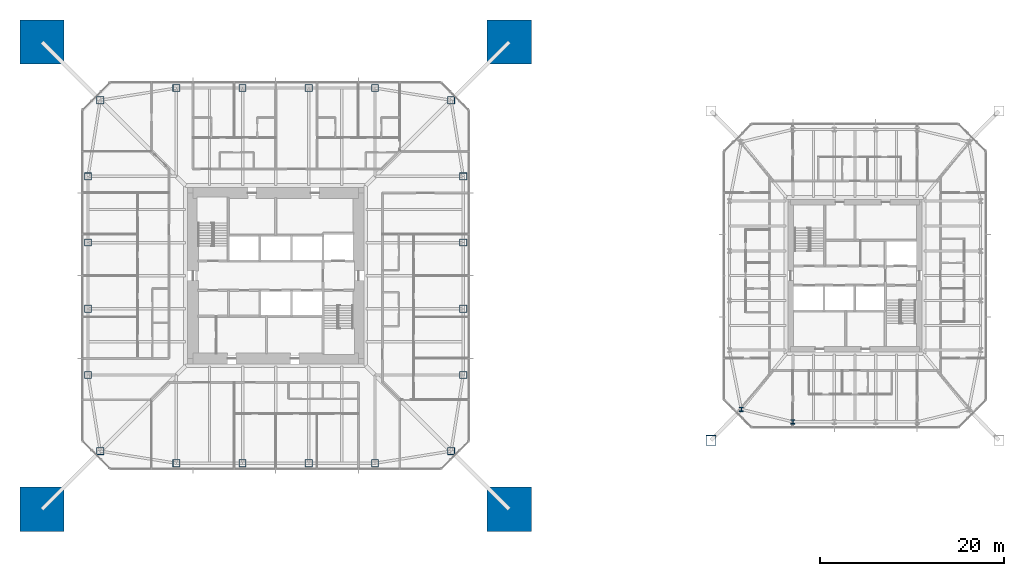
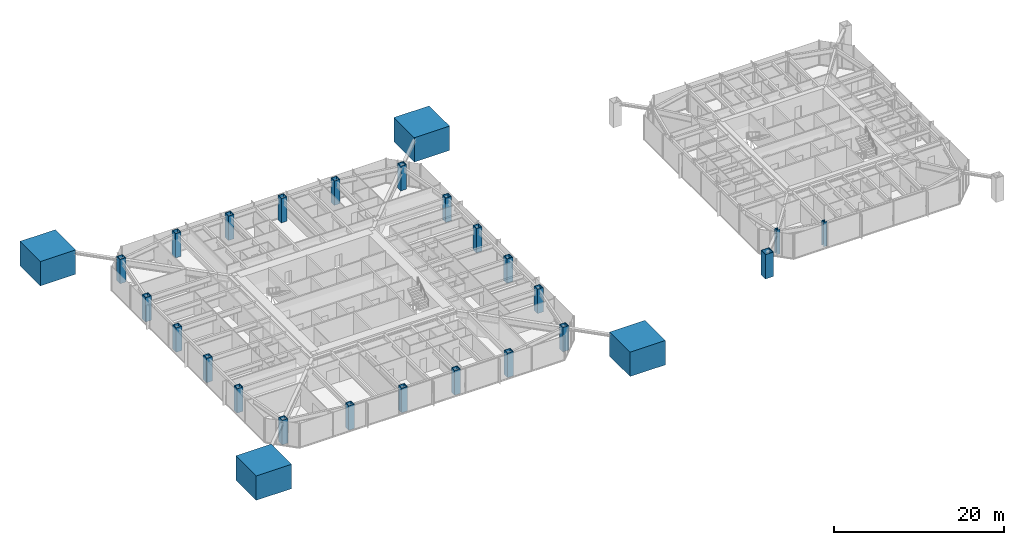
# One storey, part 1 of 25: 27 columns.
"""IFC4 building model written with IfcOpenShell, lengths in metres."""

from ifc_helpers import new_model, si_unit, direction, frame, origin, origin_2d, place, context, subcontext, project, spatial, rectangle, hollow_rectangle, i_section, extrude, material, material_profile, profile_set, type_object, element, save


model = new_model("IFC4")

# Units and contexts
model_context = context("Model", 3, precision=1e-05, world=origin(), true_north=direction((0.0, 1.0)))
body_context = subcontext(model_context, "Body", "Model", "MODEL_VIEW")
ifc_project = project(units=[si_unit("LENGTHUNIT", "METRE"), si_unit("AREAUNIT", "SQUARE_METRE"), si_unit("VOLUMEUNIT", "CUBIC_METRE"), si_unit("PLANEANGLEUNIT", "RADIAN"), si_unit("MASSUNIT", "GRAM", prefix="KILO")], contexts=[model_context])

# Site, building, storey
site_placement = place(None, origin())
site = spatial("IfcSite", under=ifc_project, at=site_placement, CompositionType="ELEMENT")
building_placement = place(site_placement, origin())
building = spatial("IfcBuilding", under=site, at=building_placement, Name="Iwan Alto Co-Living Towers", CompositionType="ELEMENT")
storey_placement = place(building_placement, frame((0.0, 0.0, 112.0)))
storey = spatial("IfcBuildingStorey", under=building, at=storey_placement, Name="L30", CompositionType="ELEMENT", Elevation=112.0)

# Columns
ifc_material_1 = material(Name="Concrete f'c 70 MPa", Category="concrete")
ifc_material_profile_1 = material_profile(ifc_material_1, rectangle(XDim=4.800048828125, YDim=4.800048828125, at=origin_2d()), Name="RC 4800X4800")
ifc_profile_set_1 = profile_set([ifc_material_profile_1], Name="Concrete f'c 70 MPa")
column_type_1 = type_object("IfcColumnType", Name="T1 MEGA COLUMN RC 4800X4800", PredefinedType="COLUMN", material=ifc_profile_set_1)
for number, where, z_axis, x_axis, name in (
    (1, (-25.39990234375, -25.39990234375, 0.0), (0.0, 0.0, 1.0), (1.0, 0.0, 0.0), "T1 mega column SW L30"),
    (2, (25.39990234375, -25.39990234375, 0.0), (0.0, 0.0, 1.0), (1.0, 0.0, 0.0), "T1 mega column SE L30"),
    (3, (25.39990234375, 25.39990234375, 0.0), (0.0, 0.0, 1.0), (1.0, 0.0, 0.0), "T1 mega column NE L30"),
    (4, (-25.39990234375, 25.39990234375, 0.0), (0.0, 0.0, 1.0), (1.0, 0.0, 0.0), "T1 mega column NW L30"),
):
    element("IfcColumn", number, at=place(storey_placement, frame(where, z_axis=z_axis, x_axis=x_axis)), inside=storey, type_object=column_type_1, Name=name, PredefinedType="COLUMN", context=body_context, shape_type="SweptSolid", body=[
        extrude(rectangle(XDim=4.800048828125, YDim=4.800048828125, at=origin_2d()), origin(), (0.0, 0.0, 1.0), 3.5),
        extrude(i_section(OverallWidth=0.4775390625, OverallDepth=0.599365234375, WebThickness=0.10009765625, FlangeThickness=0.139892578125, at=origin_2d()), origin(), (0.0, 0.0, 1.0), 3.5),
    ])
ifc_material_2 = material(Name="Steel ASTM A572 Gr 50", Category="steel")
ifc_material_profile_2 = material_profile(ifc_material_2, hollow_rectangle(XDim=0.800048828125, YDim=0.800048828125, WallThickness=0.070068359375, at=origin_2d()), Name="BOX 800X800X70")
ifc_profile_set_2 = profile_set([ifc_material_profile_2], Name="Steel ASTM A572 Gr 50")
column_type_2 = type_object("IfcColumnType", Name="T1 RING COLUMN BOX 800X800X70", PredefinedType="COLUMN", material=ifc_profile_set_2)
for number, where, z_axis, x_axis, name in (
    (5, (-19.07568359375, -19.07568359375, 0.0), (0.0, 0.0, 1.0), (1.0, 0.0, 0.0), "T1 ring column CSW L30"),
    (6, (-10.800048828125, -20.39990234375, 0.0), (0.0, 0.0, 1.0), (1.0, 0.0, 0.0), "T1 ring column S1 L30"),
    (7, (-3.60009765625, -20.39990234375, 0.0), (0.0, 0.0, 1.0), (1.0, 0.0, 0.0), "T1 ring column S2 L30"),
    (8, (3.60009765625, -20.39990234375, 0.0), (0.0, 0.0, 1.0), (1.0, 0.0, 0.0), "T1 ring column S3 L30"),
    (9, (10.800048828125, -20.39990234375, 0.0), (0.0, 0.0, 1.0), (1.0, 0.0, 0.0), "T1 ring column S4 L30"),
    (10, (19.07568359375, -19.07568359375, 0.0), (0.0, 0.0, 1.0), (1.0, 0.0, 0.0), "T1 ring column CSE L30"),
    (11, (20.39990234375, -10.800048828125, 0.0), (0.0, 0.0, 1.0), (1.0, 0.0, 0.0), "T1 ring column E1 L30"),
    (12, (20.39990234375, -3.60009765625, 0.0), (0.0, 0.0, 1.0), (1.0, 0.0, 0.0), "T1 ring column E2 L30"),
    (13, (20.39990234375, 3.60009765625, 0.0), (0.0, 0.0, 1.0), (1.0, 0.0, 0.0), "T1 ring column E3 L30"),
    (14, (20.39990234375, 10.800048828125, 0.0), (0.0, 0.0, 1.0), (1.0, 0.0, 0.0), "T1 ring column E4 L30"),
    (15, (19.07568359375, 19.07568359375, 0.0), (0.0, 0.0, 1.0), (1.0, 0.0, 0.0), "T1 ring column CNE L30"),
    (16, (10.800048828125, 20.39990234375, 0.0), (0.0, 0.0, 1.0), (1.0, 0.0, 0.0), "T1 ring column N1 L30"),
    (17, (3.60009765625, 20.39990234375, 0.0), (0.0, 0.0, 1.0), (1.0, 0.0, 0.0), "T1 ring column N2 L30"),
    (18, (-3.60009765625, 20.39990234375, 0.0), (0.0, 0.0, 1.0), (1.0, 0.0, 0.0), "T1 ring column N3 L30"),
    (19, (-10.800048828125, 20.39990234375, 0.0), (0.0, 0.0, 1.0), (1.0, 0.0, 0.0), "T1 ring column N4 L30"),
    (20, (-19.07568359375, 19.07568359375, 0.0), (0.0, 0.0, 1.0), (1.0, 0.0, 0.0), "T1 ring column CNW L30"),
    (21, (-20.39990234375, 10.800048828125, 0.0), (0.0, 0.0, 1.0), (1.0, 0.0, 0.0), "T1 ring column W1 L30"),
    (22, (-20.39990234375, 3.60009765625, 0.0), (0.0, 0.0, 1.0), (1.0, 0.0, 0.0), "T1 ring column W2 L30"),
    (23, (-20.39990234375, -3.60009765625, 0.0), (0.0, 0.0, 1.0), (1.0, 0.0, 0.0), "T1 ring column W3 L30"),
    (24, (-20.39990234375, -10.800048828125, 0.0), (0.0, 0.0, 1.0), (1.0, 0.0, 0.0), "T1 ring column W4 L30"),
):
    element("IfcColumn", number, at=place(storey_placement, frame(where, z_axis=z_axis, x_axis=x_axis)), inside=storey, type_object=column_type_2, Name=name, PredefinedType="COLUMN", context=body_context, shape_type="SweptSolid", body=[
        extrude(hollow_rectangle(XDim=0.800048828125, YDim=0.800048828125, WallThickness=0.070068359375, at=origin_2d()), origin(), (0.0, 0.0, 1.0), 3.5),
    ])
ifc_material_3 = material(Name="Steel ASTM A572 Gr 50", Category="steel")
ifc_material_profile_3 = material_profile(ifc_material_3, hollow_rectangle(XDim=1.10009765625, YDim=1.10009765625, WallThickness=0.06005859375, at=origin_2d()), Name="BOX 1100X1100X60")
ifc_profile_set_3 = profile_set([ifc_material_profile_3], Name="Steel ASTM A572 Gr 50")
column_type_3 = type_object("IfcColumnType", Name="T2 MEGA COLUMN BOX 1100X1100X60", PredefinedType="COLUMN", material=ifc_profile_set_3)
column_placement = place(storey_placement, frame((47.35009765625, -17.89990234375, 0.0), z_axis=(0.0, 0.0, 1.0), x_axis=(1.0, 0.0, 0.0)))
element("IfcColumn", 25, at=column_placement, inside=storey, type_object=column_type_3, Name="T2 mega column SW L30", PredefinedType="COLUMN", context=body_context, shape_type="SweptSolid", body=[
    extrude(hollow_rectangle(XDim=1.10009765625, YDim=1.10009765625, WallThickness=0.06005859375, at=origin_2d()), origin(), (0.0, 0.0, 1.0), 3.5),
])
ifc_material_4 = material(Name="Steel ASTM A992 Gr 50", Category="steel")
ifc_material_profile_4 = material_profile(ifc_material_4, i_section(OverallWidth=0.4267578125, OverallDepth=0.482666015625, WebThickness=0.05126953125, FlangeThickness=0.08154296875, at=origin_2d()), Name="W14X455")
ifc_profile_set_4 = profile_set([ifc_material_profile_4], Name="Steel ASTM A992 Gr 50")
column_type_4 = type_object("IfcColumnType", Name="T2 RING COLUMN W14X455", PredefinedType="COLUMN", material=ifc_profile_set_4)
for number, where, z_axis, x_axis, name in (
    (26, (50.638671875, -14.542724609375, 0.0), (0.0, 0.0, 1.0), (1.0, 0.0, 0.0), "T2 ring column CSW L30"),
    (27, (56.25, -15.89990234375, 0.0), (0.0, 0.0, 1.0), (1.0, 0.0, 0.0), "T2 ring column S1 L30"),
):
    element("IfcColumn", number, at=place(storey_placement, frame(where, z_axis=z_axis, x_axis=x_axis)), inside=storey, type_object=column_type_4, Name=name, PredefinedType="COLUMN", context=body_context, shape_type="SweptSolid", body=[
        extrude(i_section(OverallWidth=0.4267578125, OverallDepth=0.482666015625, WebThickness=0.05126953125, FlangeThickness=0.08154296875, at=origin_2d()), origin(), (0.0, 0.0, 1.0), 3.5),
    ])

save(model, "model.ifc")
